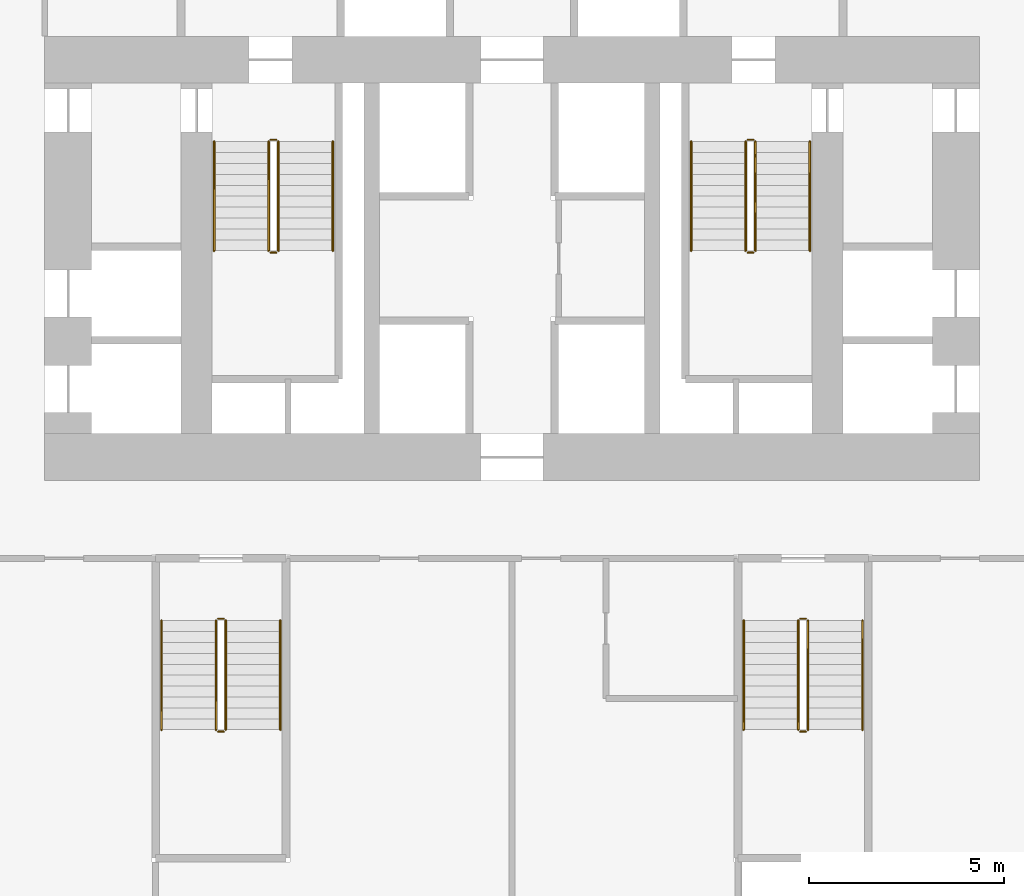
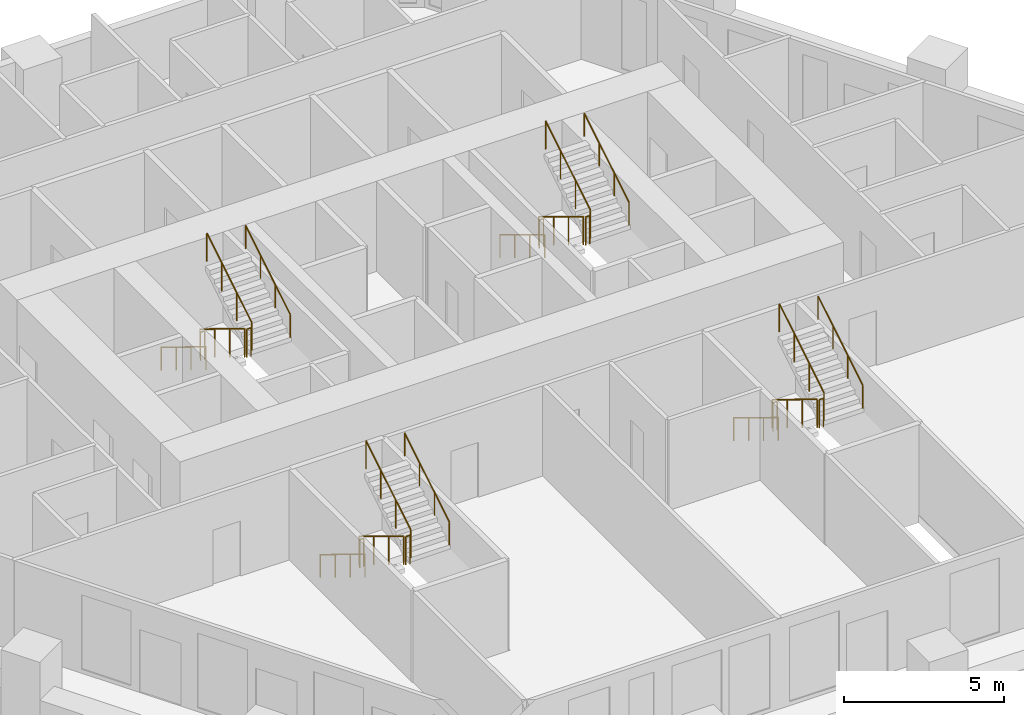
# One storey, part 8 of 8: 24 railings.
"""IFC4 building model written with IfcOpenShell, lengths in metres."""

from ifc_helpers import new_model, si_unit, direction, frame, origin, origin_2d, place, context, subcontext, project, spatial, circle, extrude, material, type_object, element, save


model = new_model("IFC4")

# Units and contexts
model_context = context("Model", 3, precision=1e-05, world=origin(), true_north=direction((0.0, 1.0)))
body_context = subcontext(model_context, "Body", "Model", "MODEL_VIEW")
ifc_project = project(units=[si_unit("LENGTHUNIT", "METRE"), si_unit("AREAUNIT", "SQUARE_METRE"), si_unit("VOLUMEUNIT", "CUBIC_METRE"), si_unit("PLANEANGLEUNIT", "RADIAN"), si_unit("MASSUNIT", "GRAM", prefix="KILO")], contexts=[model_context])

# Site, building, storey
site_placement = place(None, origin())
site = spatial("IfcSite", under=ifc_project, at=site_placement, CompositionType="ELEMENT")
building_placement = place(site_placement, origin())
building = spatial("IfcBuilding", under=site, at=building_placement, Name="Ostrander Bayou Hotel Tower", CompositionType="ELEMENT")
storey_placement = place(building_placement, frame((0.0, 0.0, 28.0)))
storey = spatial("IfcBuildingStorey", under=building, at=storey_placement, Name="L06", CompositionType="ELEMENT", Elevation=28.0)

# Railings
ifc_material_1 = material(Name="Steel ASTM A500 Gr C", Category="steel")
railing_type_1 = type_object("IfcRailingType", Name="GR1 stair guard 1100 mm steel", PredefinedType="GUARDRAIL", material=ifc_material_1)
railing_1_placement = place(storey_placement, frame((-6.25, 7.0, 0.17041015625)))
element("IfcRailing", 1, at=railing_1_placement, inside=storey, type_object=railing_type_1, Name="L06 STA stair guard 1", PredefinedType="GUARDRAIL", context=body_context, shape_type="SweptSolid", body=[
    extrude(circle(Radius=0.02392578125, at=origin_2d()), frame((0.0, 0.0, 1.076171875), z_axis=(0.0, -0.854169791009, 0.51999420009), x_axis=(1.0, 0.0, 0.0)), (0.0, 0.0, 1.0), 3.278076171875),
    extrude(circle(Radius=0.02099609375, at=origin_2d()), origin(), (0.0, 0.0, 1.0), 1.052001953125),
    extrude(circle(Radius=0.02099609375, at=origin_2d()), frame((0.0, -0.933349609375, 0.568115234375)), (0.0, 0.0, 1.0), 1.052001953125),
    extrude(circle(Radius=0.02099609375, at=origin_2d()), frame((0.0, -1.86669921875, 1.136474609375)), (0.0, 0.0, 1.0), 1.052001953125),
    extrude(circle(Radius=0.02099609375, at=origin_2d()), frame((0.0, -2.800048828125, 1.70458984375)), (0.0, 0.0, 1.0), 1.052001953125),
])
railing_2_placement = place(storey_placement, frame((-6.199951171875, 4.14990234375, 1.875)))
element("IfcRailing", 2, at=railing_2_placement, inside=storey, type_object=railing_type_1, Name="L06 STA stair guard 2", PredefinedType="GUARDRAIL", context=body_context, shape_type="SweptSolid", body=[
    extrude(circle(Radius=0.02392578125, at=origin_2d()), frame((0.0, 0.0, 1.076171875), z_axis=(1.0, 0.0, 0.0), x_axis=(0.0, 1.0, 0.0)), (0.0, 0.0, 1.0), 0.14990234375),
    extrude(circle(Radius=0.02099609375, at=origin_2d()), origin(), (0.0, 0.0, 1.0), 1.052001953125),
    extrude(circle(Radius=0.02099609375, at=origin_2d()), frame((0.14990234375, 0.0, 0.0)), (0.0, 0.0, 1.0), 1.052001953125),
])
railing_3_placement = place(storey_placement, frame((-6.0, 4.199951171875, 2.04541015625)))
element("IfcRailing", 3, at=railing_3_placement, inside=storey, type_object=railing_type_1, Name="L06 STA stair guard 3", PredefinedType="GUARDRAIL", context=body_context, shape_type="SweptSolid", body=[
    extrude(circle(Radius=0.02392578125, at=origin_2d()), frame((0.0, 0.0, 1.076171875), z_axis=(0.0, 0.854169791009, 0.51999420009), x_axis=(-1.0, 0.0, 0.0)), (0.0, 0.0, 1.0), 3.278076171875),
    extrude(circle(Radius=0.02099609375, at=origin_2d()), origin(), (0.0, 0.0, 1.0), 1.052001953125),
    extrude(circle(Radius=0.02099609375, at=origin_2d()), frame((0.0, 0.933349609375, 0.568115234375)), (0.0, 0.0, 1.0), 1.052001953125),
    extrude(circle(Radius=0.02099609375, at=origin_2d()), frame((0.0, 1.86669921875, 1.136474609375)), (0.0, 0.0, 1.0), 1.052001953125),
    extrude(circle(Radius=0.02099609375, at=origin_2d()), frame((0.0, 2.800048828125, 1.70458984375)), (0.0, 0.0, 1.0), 1.052001953125),
])
railing_4_placement = place(storey_placement, frame((-6.199951171875, 7.050048828125, 0.0)))
element("IfcRailing", 4, at=railing_4_placement, inside=storey, type_object=railing_type_1, Name="L06 STA stair guard 4", PredefinedType="GUARDRAIL", context=body_context, shape_type="SweptSolid", body=[
    extrude(circle(Radius=0.02392578125, at=origin_2d()), frame((0.0, 0.0, 1.076171875), z_axis=(1.0, 0.0, 0.0), x_axis=(0.0, 1.0, 0.0)), (0.0, 0.0, 1.0), 0.14990234375),
    extrude(circle(Radius=0.02099609375, at=origin_2d()), origin(), (0.0, 0.0, 1.0), 1.052001953125),
    extrude(circle(Radius=0.02099609375, at=origin_2d()), frame((0.14990234375, 0.0, 0.0)), (0.0, 0.0, 1.0), 1.052001953125),
])
railing_5_placement = place(storey_placement, frame((6.0, 7.0, 0.17041015625)))
element("IfcRailing", 5, at=railing_5_placement, inside=storey, type_object=railing_type_1, Name="L06 STB stair guard 1", PredefinedType="GUARDRAIL", context=body_context, shape_type="SweptSolid", body=[
    extrude(circle(Radius=0.02392578125, at=origin_2d()), frame((0.0, 0.0, 1.076171875), z_axis=(0.0, -0.854169791009, 0.51999420009), x_axis=(1.0, 0.0, 0.0)), (0.0, 0.0, 1.0), 3.278076171875),
    extrude(circle(Radius=0.02099609375, at=origin_2d()), origin(), (0.0, 0.0, 1.0), 1.052001953125),
    extrude(circle(Radius=0.02099609375, at=origin_2d()), frame((0.0, -0.933349609375, 0.568115234375)), (0.0, 0.0, 1.0), 1.052001953125),
    extrude(circle(Radius=0.02099609375, at=origin_2d()), frame((0.0, -1.86669921875, 1.136474609375)), (0.0, 0.0, 1.0), 1.052001953125),
    extrude(circle(Radius=0.02099609375, at=origin_2d()), frame((0.0, -2.800048828125, 1.70458984375)), (0.0, 0.0, 1.0), 1.052001953125),
])
railing_6_placement = place(storey_placement, frame((6.050048828125, 4.14990234375, 1.875)))
element("IfcRailing", 6, at=railing_6_placement, inside=storey, type_object=railing_type_1, Name="L06 STB stair guard 2", PredefinedType="GUARDRAIL", context=body_context, shape_type="SweptSolid", body=[
    extrude(circle(Radius=0.02392578125, at=origin_2d()), frame((0.0, 0.0, 1.076171875), z_axis=(1.0, 0.0, 0.0), x_axis=(0.0, 1.0, 0.0)), (0.0, 0.0, 1.0), 0.14990234375),
    extrude(circle(Radius=0.02099609375, at=origin_2d()), origin(), (0.0, 0.0, 1.0), 1.052001953125),
    extrude(circle(Radius=0.02099609375, at=origin_2d()), frame((0.14990234375, 0.0, 0.0)), (0.0, 0.0, 1.0), 1.052001953125),
])
railing_7_placement = place(storey_placement, frame((6.25, 4.199951171875, 2.04541015625)))
element("IfcRailing", 7, at=railing_7_placement, inside=storey, type_object=railing_type_1, Name="L06 STB stair guard 3", PredefinedType="GUARDRAIL", context=body_context, shape_type="SweptSolid", body=[
    extrude(circle(Radius=0.02392578125, at=origin_2d()), frame((0.0, 0.0, 1.076171875), z_axis=(0.0, 0.854169791009, 0.51999420009), x_axis=(-1.0, 0.0, 0.0)), (0.0, 0.0, 1.0), 3.278076171875),
    extrude(circle(Radius=0.02099609375, at=origin_2d()), origin(), (0.0, 0.0, 1.0), 1.052001953125),
    extrude(circle(Radius=0.02099609375, at=origin_2d()), frame((0.0, 0.933349609375, 0.568115234375)), (0.0, 0.0, 1.0), 1.052001953125),
    extrude(circle(Radius=0.02099609375, at=origin_2d()), frame((0.0, 1.86669921875, 1.136474609375)), (0.0, 0.0, 1.0), 1.052001953125),
    extrude(circle(Radius=0.02099609375, at=origin_2d()), frame((0.0, 2.800048828125, 1.70458984375)), (0.0, 0.0, 1.0), 1.052001953125),
])
railing_8_placement = place(storey_placement, frame((6.050048828125, 7.050048828125, 0.0)))
element("IfcRailing", 8, at=railing_8_placement, inside=storey, type_object=railing_type_1, Name="L06 STB stair guard 4", PredefinedType="GUARDRAIL", context=body_context, shape_type="SweptSolid", body=[
    extrude(circle(Radius=0.02392578125, at=origin_2d()), frame((0.0, 0.0, 1.076171875), z_axis=(1.0, 0.0, 0.0), x_axis=(0.0, 1.0, 0.0)), (0.0, 0.0, 1.0), 0.14990234375),
    extrude(circle(Radius=0.02099609375, at=origin_2d()), origin(), (0.0, 0.0, 1.0), 1.052001953125),
    extrude(circle(Radius=0.02099609375, at=origin_2d()), frame((0.14990234375, 0.0, 0.0)), (0.0, 0.0, 1.0), 1.052001953125),
])
railing_9_placement = place(storey_placement, frame((7.35009765625, -5.300048828125, 0.17041015625)))
element("IfcRailing", 9, at=railing_9_placement, inside=storey, type_object=railing_type_1, Name="L06 STC stair guard 1", PredefinedType="GUARDRAIL", context=body_context, shape_type="SweptSolid", body=[
    extrude(circle(Radius=0.02392578125, at=origin_2d()), frame((0.0, 0.0, 1.076171875), z_axis=(0.0, -0.854169791009, 0.51999420009), x_axis=(1.0, 0.0, 0.0)), (0.0, 0.0, 1.0), 3.278076171875),
    extrude(circle(Radius=0.02099609375, at=origin_2d()), origin(), (0.0, 0.0, 1.0), 1.052001953125),
    extrude(circle(Radius=0.02099609375, at=origin_2d()), frame((0.0, -0.933349609375, 0.568115234375)), (0.0, 0.0, 1.0), 1.052001953125),
    extrude(circle(Radius=0.02099609375, at=origin_2d()), frame((0.0, -1.86669921875, 1.136474609375)), (0.0, 0.0, 1.0), 1.052001953125),
    extrude(circle(Radius=0.02099609375, at=origin_2d()), frame((0.0, -2.800048828125, 1.70458984375)), (0.0, 0.0, 1.0), 1.052001953125),
])
railing_10_placement = place(storey_placement, frame((7.39990234375, -8.14990234375, 1.875)))
element("IfcRailing", 10, at=railing_10_placement, inside=storey, type_object=railing_type_1, Name="L06 STC stair guard 2", PredefinedType="GUARDRAIL", context=body_context, shape_type="SweptSolid", body=[
    extrude(circle(Radius=0.02392578125, at=origin_2d()), frame((0.0, 0.0, 1.076171875), z_axis=(1.0, 0.0, 0.0), x_axis=(0.0, 1.0, 0.0)), (0.0, 0.0, 1.0), 0.150146484375),
    extrude(circle(Radius=0.02099609375, at=origin_2d()), origin(), (0.0, 0.0, 1.0), 1.052001953125),
    extrude(circle(Radius=0.02099609375, at=origin_2d()), frame((0.150146484375, 0.0, 0.0)), (0.0, 0.0, 1.0), 1.052001953125),
])
railing_11_placement = place(storey_placement, frame((7.60009765625, -8.10009765625, 2.04541015625)))
element("IfcRailing", 11, at=railing_11_placement, inside=storey, type_object=railing_type_1, Name="L06 STC stair guard 3", PredefinedType="GUARDRAIL", context=body_context, shape_type="SweptSolid", body=[
    extrude(circle(Radius=0.02392578125, at=origin_2d()), frame((0.0, 0.0, 1.076171875), z_axis=(0.0, 0.854169791009, 0.51999420009), x_axis=(-1.0, 0.0, 0.0)), (0.0, 0.0, 1.0), 3.278076171875),
    extrude(circle(Radius=0.02099609375, at=origin_2d()), origin(), (0.0, 0.0, 1.0), 1.052001953125),
    extrude(circle(Radius=0.02099609375, at=origin_2d()), frame((0.0, 0.933349609375, 0.568115234375)), (0.0, 0.0, 1.0), 1.052001953125),
    extrude(circle(Radius=0.02099609375, at=origin_2d()), frame((0.0, 1.86669921875, 1.136474609375)), (0.0, 0.0, 1.0), 1.052001953125),
    extrude(circle(Radius=0.02099609375, at=origin_2d()), frame((0.0, 2.800048828125, 1.70458984375)), (0.0, 0.0, 1.0), 1.052001953125),
])
railing_12_placement = place(storey_placement, frame((7.39990234375, -5.25, 0.0)))
element("IfcRailing", 12, at=railing_12_placement, inside=storey, type_object=railing_type_1, Name="L06 STC stair guard 4", PredefinedType="GUARDRAIL", context=body_context, shape_type="SweptSolid", body=[
    extrude(circle(Radius=0.02392578125, at=origin_2d()), frame((0.0, 0.0, 1.076171875), z_axis=(1.0, 0.0, 0.0), x_axis=(0.0, 1.0, 0.0)), (0.0, 0.0, 1.0), 0.150146484375),
    extrude(circle(Radius=0.02099609375, at=origin_2d()), origin(), (0.0, 0.0, 1.0), 1.052001953125),
    extrude(circle(Radius=0.02099609375, at=origin_2d()), frame((0.150146484375, 0.0, 0.0)), (0.0, 0.0, 1.0), 1.052001953125),
])
railing_13_placement = place(storey_placement, frame((-7.60009765625, -5.300048828125, 0.17041015625)))
element("IfcRailing", 13, at=railing_13_placement, inside=storey, type_object=railing_type_1, Name="L06 STD stair guard 1", PredefinedType="GUARDRAIL", context=body_context, shape_type="SweptSolid", body=[
    extrude(circle(Radius=0.02392578125, at=origin_2d()), frame((0.0, 0.0, 1.076171875), z_axis=(0.0, -0.854169791009, 0.51999420009), x_axis=(1.0, 0.0, 0.0)), (0.0, 0.0, 1.0), 3.278076171875),
    extrude(circle(Radius=0.02099609375, at=origin_2d()), origin(), (0.0, 0.0, 1.0), 1.052001953125),
    extrude(circle(Radius=0.02099609375, at=origin_2d()), frame((0.0, -0.933349609375, 0.568115234375)), (0.0, 0.0, 1.0), 1.052001953125),
    extrude(circle(Radius=0.02099609375, at=origin_2d()), frame((0.0, -1.86669921875, 1.136474609375)), (0.0, 0.0, 1.0), 1.052001953125),
    extrude(circle(Radius=0.02099609375, at=origin_2d()), frame((0.0, -2.800048828125, 1.70458984375)), (0.0, 0.0, 1.0), 1.052001953125),
])
railing_14_placement = place(storey_placement, frame((-7.550048828125, -8.14990234375, 1.875)))
element("IfcRailing", 14, at=railing_14_placement, inside=storey, type_object=railing_type_1, Name="L06 STD stair guard 2", PredefinedType="GUARDRAIL", context=body_context, shape_type="SweptSolid", body=[
    extrude(circle(Radius=0.02392578125, at=origin_2d()), frame((0.0, 0.0, 1.076171875), z_axis=(1.0, 0.0, 0.0), x_axis=(0.0, 1.0, 0.0)), (0.0, 0.0, 1.0), 0.150146484375),
    extrude(circle(Radius=0.02099609375, at=origin_2d()), origin(), (0.0, 0.0, 1.0), 1.052001953125),
    extrude(circle(Radius=0.02099609375, at=origin_2d()), frame((0.150146484375, 0.0, 0.0)), (0.0, 0.0, 1.0), 1.052001953125),
])
railing_15_placement = place(storey_placement, frame((-7.35009765625, -8.10009765625, 2.04541015625)))
element("IfcRailing", 15, at=railing_15_placement, inside=storey, type_object=railing_type_1, Name="L06 STD stair guard 3", PredefinedType="GUARDRAIL", context=body_context, shape_type="SweptSolid", body=[
    extrude(circle(Radius=0.02392578125, at=origin_2d()), frame((0.0, 0.0, 1.076171875), z_axis=(0.0, 0.854169791009, 0.51999420009), x_axis=(-1.0, 0.0, 0.0)), (0.0, 0.0, 1.0), 3.278076171875),
    extrude(circle(Radius=0.02099609375, at=origin_2d()), origin(), (0.0, 0.0, 1.0), 1.052001953125),
    extrude(circle(Radius=0.02099609375, at=origin_2d()), frame((0.0, 0.933349609375, 0.568115234375)), (0.0, 0.0, 1.0), 1.052001953125),
    extrude(circle(Radius=0.02099609375, at=origin_2d()), frame((0.0, 1.86669921875, 1.136474609375)), (0.0, 0.0, 1.0), 1.052001953125),
    extrude(circle(Radius=0.02099609375, at=origin_2d()), frame((0.0, 2.800048828125, 1.70458984375)), (0.0, 0.0, 1.0), 1.052001953125),
])
railing_16_placement = place(storey_placement, frame((-7.550048828125, -5.25, 0.0)))
element("IfcRailing", 16, at=railing_16_placement, inside=storey, type_object=railing_type_1, Name="L06 STD stair guard 4", PredefinedType="GUARDRAIL", context=body_context, shape_type="SweptSolid", body=[
    extrude(circle(Radius=0.02392578125, at=origin_2d()), frame((0.0, 0.0, 1.076171875), z_axis=(1.0, 0.0, 0.0), x_axis=(0.0, 1.0, 0.0)), (0.0, 0.0, 1.0), 0.150146484375),
    extrude(circle(Radius=0.02099609375, at=origin_2d()), origin(), (0.0, 0.0, 1.0), 1.052001953125),
    extrude(circle(Radius=0.02099609375, at=origin_2d()), frame((0.150146484375, 0.0, 0.0)), (0.0, 0.0, 1.0), 1.052001953125),
])
ifc_material_2 = material(Name="Steel ASTM A500 Gr C", Category="steel")
railing_type_2 = type_object("IfcRailingType", Name="HR1 stair handrail 900 mm steel", PredefinedType="HANDRAIL", material=ifc_material_2)
railing_17_placement = place(storey_placement, frame((-7.64990234375, 7.0, 0.17041015625)))
element("IfcRailing", 17, at=railing_17_placement, inside=storey, type_object=railing_type_2, Name="L06 STA stair handrail 1", PredefinedType="HANDRAIL", context=body_context, shape_type="SweptSolid", body=[
    extrude(circle(Radius=0.02392578125, at=origin_2d()), frame((0.0, 0.0, 0.8759765625), z_axis=(0.0, -0.854169791009, 0.51999420009), x_axis=(1.0, 0.0, 0.0)), (0.0, 0.0, 1.0), 3.278076171875),
    extrude(circle(Radius=0.02099609375, at=origin_2d()), origin(), (0.0, 0.0, 1.0), 0.851806640625),
    extrude(circle(Radius=0.02099609375, at=origin_2d()), frame((0.0, -0.933349609375, 0.568115234375)), (0.0, 0.0, 1.0), 0.851806640625),
    extrude(circle(Radius=0.02099609375, at=origin_2d()), frame((0.0, -1.86669921875, 1.136474609375)), (0.0, 0.0, 1.0), 0.851806640625),
    extrude(circle(Radius=0.02099609375, at=origin_2d()), frame((0.0, -2.800048828125, 1.70458984375)), (0.0, 0.0, 1.0), 0.851806640625),
])
railing_18_placement = place(storey_placement, frame((-4.60009765625, 4.199951171875, 2.04541015625)))
element("IfcRailing", 18, at=railing_18_placement, inside=storey, type_object=railing_type_2, Name="L06 STA stair handrail 2", PredefinedType="HANDRAIL", context=body_context, shape_type="SweptSolid", body=[
    extrude(circle(Radius=0.02392578125, at=origin_2d()), frame((0.0, 0.0, 0.8759765625), z_axis=(0.0, 0.854169791009, 0.51999420009), x_axis=(-1.0, 0.0, 0.0)), (0.0, 0.0, 1.0), 3.278076171875),
    extrude(circle(Radius=0.02099609375, at=origin_2d()), origin(), (0.0, 0.0, 1.0), 0.851806640625),
    extrude(circle(Radius=0.02099609375, at=origin_2d()), frame((0.0, 0.933349609375, 0.568115234375)), (0.0, 0.0, 1.0), 0.851806640625),
    extrude(circle(Radius=0.02099609375, at=origin_2d()), frame((0.0, 1.86669921875, 1.136474609375)), (0.0, 0.0, 1.0), 0.851806640625),
    extrude(circle(Radius=0.02099609375, at=origin_2d()), frame((0.0, 2.800048828125, 1.70458984375)), (0.0, 0.0, 1.0), 0.851806640625),
])
railing_19_placement = place(storey_placement, frame((4.60009765625, 7.0, 0.17041015625)))
element("IfcRailing", 19, at=railing_19_placement, inside=storey, type_object=railing_type_2, Name="L06 STB stair handrail 1", PredefinedType="HANDRAIL", context=body_context, shape_type="SweptSolid", body=[
    extrude(circle(Radius=0.02392578125, at=origin_2d()), frame((0.0, 0.0, 0.8759765625), z_axis=(0.0, -0.854169791009, 0.51999420009), x_axis=(1.0, 0.0, 0.0)), (0.0, 0.0, 1.0), 3.278076171875),
    extrude(circle(Radius=0.02099609375, at=origin_2d()), origin(), (0.0, 0.0, 1.0), 0.851806640625),
    extrude(circle(Radius=0.02099609375, at=origin_2d()), frame((0.0, -0.933349609375, 0.568115234375)), (0.0, 0.0, 1.0), 0.851806640625),
    extrude(circle(Radius=0.02099609375, at=origin_2d()), frame((0.0, -1.86669921875, 1.136474609375)), (0.0, 0.0, 1.0), 0.851806640625),
    extrude(circle(Radius=0.02099609375, at=origin_2d()), frame((0.0, -2.800048828125, 1.70458984375)), (0.0, 0.0, 1.0), 0.851806640625),
])
railing_20_placement = place(storey_placement, frame((7.64990234375, 4.199951171875, 2.04541015625)))
element("IfcRailing", 20, at=railing_20_placement, inside=storey, type_object=railing_type_2, Name="L06 STB stair handrail 2", PredefinedType="HANDRAIL", context=body_context, shape_type="SweptSolid", body=[
    extrude(circle(Radius=0.02392578125, at=origin_2d()), frame((0.0, 0.0, 0.8759765625), z_axis=(0.0, 0.854169791009, 0.51999420009), x_axis=(-1.0, 0.0, 0.0)), (0.0, 0.0, 1.0), 3.278076171875),
    extrude(circle(Radius=0.02099609375, at=origin_2d()), origin(), (0.0, 0.0, 1.0), 0.851806640625),
    extrude(circle(Radius=0.02099609375, at=origin_2d()), frame((0.0, 0.933349609375, 0.568115234375)), (0.0, 0.0, 1.0), 0.851806640625),
    extrude(circle(Radius=0.02099609375, at=origin_2d()), frame((0.0, 1.86669921875, 1.136474609375)), (0.0, 0.0, 1.0), 0.851806640625),
    extrude(circle(Radius=0.02099609375, at=origin_2d()), frame((0.0, 2.800048828125, 1.70458984375)), (0.0, 0.0, 1.0), 0.851806640625),
])
railing_21_placement = place(storey_placement, frame((5.949951171875, -5.300048828125, 0.17041015625)))
element("IfcRailing", 21, at=railing_21_placement, inside=storey, type_object=railing_type_2, Name="L06 STC stair handrail 1", PredefinedType="HANDRAIL", context=body_context, shape_type="SweptSolid", body=[
    extrude(circle(Radius=0.02392578125, at=origin_2d()), frame((0.0, 0.0, 0.8759765625), z_axis=(0.0, -0.854169791009, 0.51999420009), x_axis=(1.0, 0.0, 0.0)), (0.0, 0.0, 1.0), 3.278076171875),
    extrude(circle(Radius=0.02099609375, at=origin_2d()), origin(), (0.0, 0.0, 1.0), 0.851806640625),
    extrude(circle(Radius=0.02099609375, at=origin_2d()), frame((0.0, -0.933349609375, 0.568115234375)), (0.0, 0.0, 1.0), 0.851806640625),
    extrude(circle(Radius=0.02099609375, at=origin_2d()), frame((0.0, -1.86669921875, 1.136474609375)), (0.0, 0.0, 1.0), 0.851806640625),
    extrude(circle(Radius=0.02099609375, at=origin_2d()), frame((0.0, -2.800048828125, 1.70458984375)), (0.0, 0.0, 1.0), 0.851806640625),
])
railing_22_placement = place(storey_placement, frame((9.0, -8.10009765625, 2.04541015625)))
element("IfcRailing", 22, at=railing_22_placement, inside=storey, type_object=railing_type_2, Name="L06 STC stair handrail 2", PredefinedType="HANDRAIL", context=body_context, shape_type="SweptSolid", body=[
    extrude(circle(Radius=0.02392578125, at=origin_2d()), frame((0.0, 0.0, 0.8759765625), z_axis=(0.0, 0.854169791009, 0.51999420009), x_axis=(-1.0, 0.0, 0.0)), (0.0, 0.0, 1.0), 3.278076171875),
    extrude(circle(Radius=0.02099609375, at=origin_2d()), origin(), (0.0, 0.0, 1.0), 0.851806640625),
    extrude(circle(Radius=0.02099609375, at=origin_2d()), frame((0.0, 0.933349609375, 0.568115234375)), (0.0, 0.0, 1.0), 0.851806640625),
    extrude(circle(Radius=0.02099609375, at=origin_2d()), frame((0.0, 1.86669921875, 1.136474609375)), (0.0, 0.0, 1.0), 0.851806640625),
    extrude(circle(Radius=0.02099609375, at=origin_2d()), frame((0.0, 2.800048828125, 1.70458984375)), (0.0, 0.0, 1.0), 0.851806640625),
])
railing_23_placement = place(storey_placement, frame((-9.0, -5.300048828125, 0.17041015625)))
element("IfcRailing", 23, at=railing_23_placement, inside=storey, type_object=railing_type_2, Name="L06 STD stair handrail 1", PredefinedType="HANDRAIL", context=body_context, shape_type="SweptSolid", body=[
    extrude(circle(Radius=0.02392578125, at=origin_2d()), frame((0.0, 0.0, 0.8759765625), z_axis=(0.0, -0.854169791009, 0.51999420009), x_axis=(1.0, 0.0, 0.0)), (0.0, 0.0, 1.0), 3.278076171875),
    extrude(circle(Radius=0.02099609375, at=origin_2d()), origin(), (0.0, 0.0, 1.0), 0.851806640625),
    extrude(circle(Radius=0.02099609375, at=origin_2d()), frame((0.0, -0.933349609375, 0.568115234375)), (0.0, 0.0, 1.0), 0.851806640625),
    extrude(circle(Radius=0.02099609375, at=origin_2d()), frame((0.0, -1.86669921875, 1.136474609375)), (0.0, 0.0, 1.0), 0.851806640625),
    extrude(circle(Radius=0.02099609375, at=origin_2d()), frame((0.0, -2.800048828125, 1.70458984375)), (0.0, 0.0, 1.0), 0.851806640625),
])
railing_24_placement = place(storey_placement, frame((-5.949951171875, -8.10009765625, 2.04541015625)))
element("IfcRailing", 24, at=railing_24_placement, inside=storey, type_object=railing_type_2, Name="L06 STD stair handrail 2", PredefinedType="HANDRAIL", context=body_context, shape_type="SweptSolid", body=[
    extrude(circle(Radius=0.02392578125, at=origin_2d()), frame((0.0, 0.0, 0.8759765625), z_axis=(0.0, 0.854169791009, 0.51999420009), x_axis=(-1.0, 0.0, 0.0)), (0.0, 0.0, 1.0), 3.278076171875),
    extrude(circle(Radius=0.02099609375, at=origin_2d()), origin(), (0.0, 0.0, 1.0), 0.851806640625),
    extrude(circle(Radius=0.02099609375, at=origin_2d()), frame((0.0, 0.933349609375, 0.568115234375)), (0.0, 0.0, 1.0), 0.851806640625),
    extrude(circle(Radius=0.02099609375, at=origin_2d()), frame((0.0, 1.86669921875, 1.136474609375)), (0.0, 0.0, 1.0), 0.851806640625),
    extrude(circle(Radius=0.02099609375, at=origin_2d()), frame((0.0, 2.800048828125, 1.70458984375)), (0.0, 0.0, 1.0), 0.851806640625),
])

save(model, "model.ifc")
